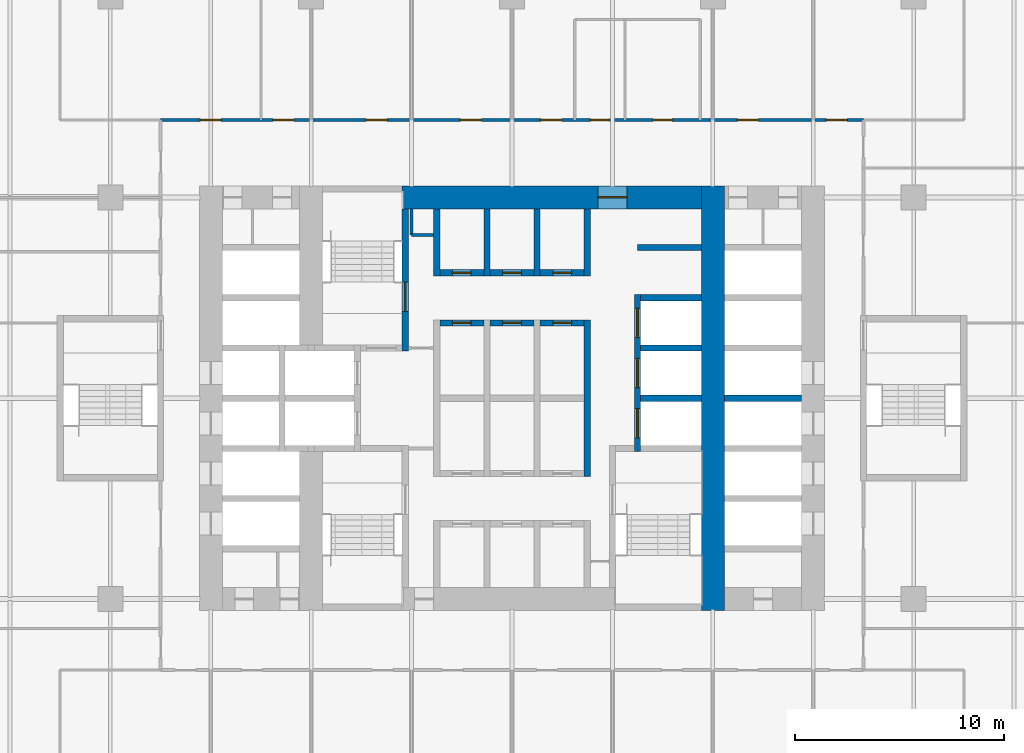
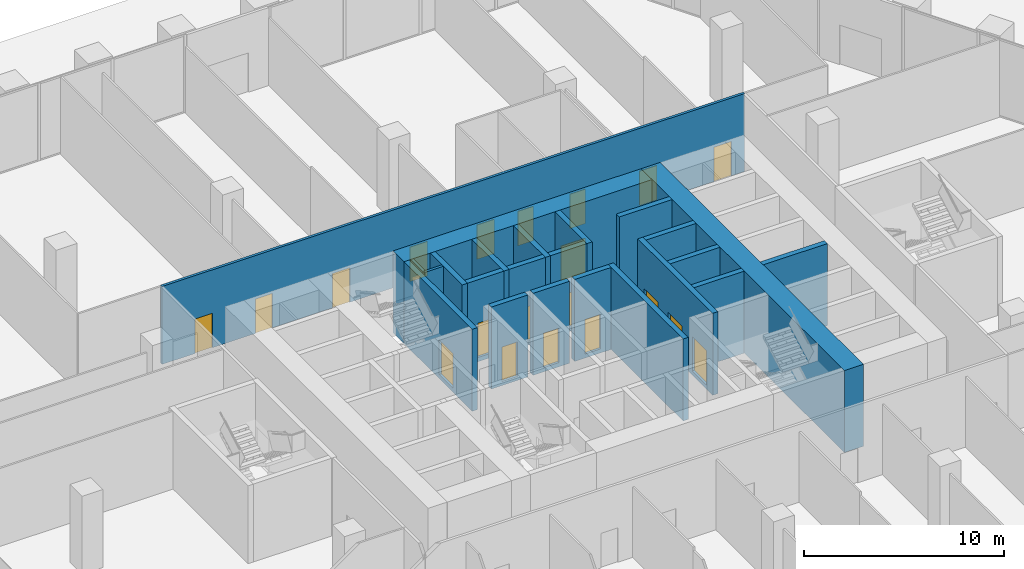
# One storey, part 22 of 29: 23 walls, 20 doors, 20 openings.
"""IFC4 building model written with IfcOpenShell, lengths in metres."""

import ifcopenshell
import ifcopenshell.guid

model = None  # the IFC model being written
_history = None  # IfcOwnerHistory: only IFC2X3 demands one
_inside = {}  # id of a spatial element -> (the spatial element, [elements in it])
_under = {}  # id of a project, library or spatial element -> (it, [spatial elements below it])
_declared = {}  # id of a project -> (the project, [libraries it declares])
_typed = {}  # id of a type object -> (the type object, [elements of that type])
_made_of = {}  # id of a material, layer set ... -> (it, [elements and type objects made of it])


def new_model(schema):
    """Start an empty IFC model of exactly this schema.

    Asked for "IFC4X3", IfcOpenShell would pick the latest addendum, in which some entities
    have other attributes; the version numbers below select the first issue.
    IFC2X3 requires an IfcOwnerHistory on every rooted entity: one is made here for all.
    """
    global model, _history
    if schema == "IFC4X3":
        model = ifcopenshell.file(schema_version=(4, 3, 0, 0))
    else:
        model = ifcopenshell.file(schema=schema)
    _inside.clear()
    _under.clear()
    _declared.clear()
    _typed.clear()
    _made_of.clear()
    _history = None
    if model.schema == "IFC2X3":
        org = make("IfcOrganization", Name="unknown")
        user = make(
            "IfcPersonAndOrganization",
            ThePerson=make("IfcPerson", FamilyName="unknown"),
            TheOrganization=org,
        )
        app = make(
            "IfcApplication",
            ApplicationDeveloper=org,
            Version="unknown",
            ApplicationFullName="unknown",
            ApplicationIdentifier="unknown",
        )
        _history = make(
            "IfcOwnerHistory",
            OwningUser=user,
            OwningApplication=app,
            ChangeAction="ADDED",
            CreationDate=0,
        )
    return model


def make(cls, **values):
    """One entity of the class cls with the attributes given. An attribute that is None is left unset."""
    return model.create_entity(
        cls, **{name: value for name, value in values.items() if value is not None}
    )


def rooted(cls, **values):
    """An entity with a GlobalId (a new one), such as an element, a storey or a relation."""
    return make(cls, GlobalId=ifcopenshell.guid.new(), OwnerHistory=_history, **values)


def si_unit(unit_type, name, prefix=None):
    """IfcSIUnit, for example si_unit("LENGTHUNIT", "METRE", prefix="MILLI")."""
    return make("IfcSIUnit", UnitType=unit_type, Prefix=prefix, Name=name)


def assignment(units):
    """IfcUnitAssignment: the units of a project."""
    return None if units is None else make("IfcUnitAssignment", Units=units)


def point(xyz):
    """IfcCartesianPoint."""
    return None if xyz is None else make("IfcCartesianPoint", Coordinates=xyz)


def direction(xyz):
    """IfcDirection."""
    return None if xyz is None else make("IfcDirection", DirectionRatios=xyz)


def frame(location, z_axis=None, x_axis=None):
    """IfcAxis2Placement3D, a coordinate frame: its origin and axes. An axis left out is left unset."""
    return make(
        "IfcAxis2Placement3D",
        Location=point(location),
        Axis=direction(z_axis),
        RefDirection=direction(x_axis),
    )


def frame_2d(location, x_axis=None):
    """IfcAxis2Placement2D, a coordinate frame in the plane: its origin and x axis."""
    return make(
        "IfcAxis2Placement2D", Location=point(location), RefDirection=direction(x_axis)
    )


def origin():
    """The frame at (0, 0, 0) with its axes left unset."""
    return frame((0.0, 0.0, 0.0))


def place(relative_to, where):
    """IfcLocalPlacement: puts the frame where relative to a parent placement (None: the world)."""
    return make(
        "IfcLocalPlacement", PlacementRelTo=relative_to, RelativePlacement=where
    )


def context(
    kind, dimensions, precision=None, world=None, true_north=None, identifier=None
):
    """IfcGeometricRepresentationContext, for example the 3D "Model" context."""
    return make(
        "IfcGeometricRepresentationContext",
        ContextIdentifier=identifier,
        ContextType=kind,
        CoordinateSpaceDimension=dimensions,
        Precision=precision,
        WorldCoordinateSystem=world,
        TrueNorth=true_north,
    )


def subcontext(parent, identifier, kind, view, scale=None):
    """IfcGeometricRepresentationSubContext, for example "Body" below "Model"."""
    return make(
        "IfcGeometricRepresentationSubContext",
        ContextIdentifier=identifier,
        ContextType=kind,
        ParentContext=parent,
        TargetScale=scale,
        TargetView=view,
    )


def project(units=None, contexts=None):
    """IfcProject with its units and contexts."""
    return rooted(
        "IfcProject",
        Name="project",
        RepresentationContexts=contexts,
        UnitsInContext=assignment(units),
    )


def spatial(cls, under=None, at=None, **own):
    """A site, building, storey or space (cls), placed at a placement, below another one or the project."""
    s = rooted(cls, ObjectPlacement=at, **own)
    if under is not None:
        _under.setdefault(under.id(), (under, []))[1].append(s)
    return s


def profile(cls, at=None, kind="AREA", **sizes):
    """A parametric profile (cls). Its sizes go by their IFC names, for example OverallWidth=200.0."""
    return make(cls, ProfileType=kind, Position=at, **sizes)


def rectangle(**sizes):
    """IfcRectangleProfileDef."""
    return profile("IfcRectangleProfileDef", **sizes)


def extrude(swept, where, along, depth):
    """IfcExtrudedAreaSolid: the profile swept, set in the frame where, extruded along a direction by depth."""
    return make(
        "IfcExtrudedAreaSolid",
        SweptArea=swept,
        Position=where,
        ExtrudedDirection=direction(along),
        Depth=depth,
    )


def shape(context_of_items, identifier, shape_type, items):
    """IfcShapeRepresentation: the items that make up one representation, for example the "Body"."""
    return make(
        "IfcShapeRepresentation",
        ContextOfItems=context_of_items,
        RepresentationIdentifier=identifier,
        RepresentationType=shape_type,
        Items=items,
    )


def material(Name=None, Category=None):
    """IfcMaterial."""
    return make("IfcMaterial", Name=Name, Category=Category)


def layer(
    of_material, thickness, ventilated=None, Name=None, Category=None, Priority=None
):
    """IfcMaterialLayer: one layer of a wall or slab, of a material (None: an air gap)."""
    return make(
        "IfcMaterialLayer",
        Material=of_material,
        LayerThickness=thickness,
        IsVentilated=ventilated,
        Name=Name,
        Category=Category,
        Priority=Priority,
    )


def layer_set(layers, Name=None):
    """IfcMaterialLayerSet."""
    return make("IfcMaterialLayerSet", MaterialLayers=layers, LayerSetName=Name)


def made_of(thing, what):
    """Note that an element or type object is made of a material, layer set ...; save() writes the relation."""
    if what is not None:
        _made_of.setdefault(what.id(), (what, []))[1].append(thing)
    return thing


def type_object(cls, material=None, **own):
    """A type object (cls), such as IfcWallType, which elements share."""
    return made_of(rooted(cls, **own), material)


def element(
    cls,
    number,
    at=None,
    inside=None,
    cuts=None,
    type_object=None,
    material=None,
    context=None,
    identifier="Body",
    shape_type=None,
    held_by="IfcProductDefinitionShape",
    body=None,
    shapes=None,
    **own,
):
    """One element of the class cls, such as IfcWall. Its Tag is "e" and its number.

    at: its placement. inside: the storey or other place that contains it. cuts: it is an
    opening in that element (IfcRelVoidsElement). A single representation is given by context,
    identifier, shape_type and body (its items); several are given by shapes. held_by: the class
    of the entity that holds the representations. save() writes the other relations.
    """
    e = rooted(cls, Tag="e%d" % number, ObjectPlacement=at, **own)
    if body is not None:
        shapes = [shape(context, identifier, shape_type, body)]
    if shapes is not None:
        e.Representation = make(held_by, Representations=shapes)
    if inside is not None:
        _inside.setdefault(inside.id(), (inside, []))[1].append(e)
    if cuts is not None:
        rooted(
            "IfcRelVoidsElement", RelatingBuildingElement=cuts, RelatedOpeningElement=e
        )
    if type_object is not None:
        _typed.setdefault(type_object.id(), (type_object, []))[1].append(e)
    return made_of(e, material)


def fill(opening, filler):
    """IfcRelFillsElement: the door or window that sits in an opening."""
    return rooted(
        "IfcRelFillsElement",
        RelatingOpeningElement=opening,
        RelatedBuildingElement=filler,
    )


def aggregate(whole, parts):
    """IfcRelAggregates: a whole, such as a stair, and the parts it consists of."""
    return rooted("IfcRelAggregates", RelatingObject=whole, RelatedObjects=parts)


def save(model, path):
    """Write the relations noted so far, then the file.

    IfcRelAggregates (storeys below a building ...), IfcRelContainedInSpatialStructure (elements
    in a storey), IfcRelDefinesByType, IfcRelAssociatesMaterial and IfcRelDeclares: one each for
    every whole, place, type object, material and project.
    """
    for whole, parts in _under.values():
        aggregate(whole, parts)
    for where, things in _inside.values():
        rooted(
            "IfcRelContainedInSpatialStructure",
            RelatedElements=things,
            RelatingStructure=where,
        )
    for kind, things in _typed.values():
        rooted("IfcRelDefinesByType", RelatedObjects=things, RelatingType=kind)
    for what, things in _made_of.values():
        rooted("IfcRelAssociatesMaterial", RelatedObjects=things, RelatingMaterial=what)
    for by, libraries in _declared.values():
        rooted("IfcRelDeclares", RelatingContext=by, RelatedDefinitions=libraries)
    model.write(path)


model = new_model("IFC4")

# Units and contexts
model_context = context("Model", 3, precision=1e-05, world=origin(), true_north=direction((0.0, 1.0)))
body_context = subcontext(model_context, "Body", "Model", "MODEL_VIEW")
ifc_project = project(units=[si_unit("LENGTHUNIT", "METRE"), si_unit("AREAUNIT", "SQUARE_METRE"), si_unit("VOLUMEUNIT", "CUBIC_METRE"), si_unit("PLANEANGLEUNIT", "RADIAN"), si_unit("MASSUNIT", "GRAM", prefix="KILO")], contexts=[model_context])

# Site, building, storey
site_placement = place(None, origin())
site = spatial("IfcSite", under=ifc_project, at=site_placement, CompositionType="ELEMENT")
building_placement = place(site_placement, origin())
building = spatial("IfcBuilding", under=site, at=building_placement, Name="Kolab Exchange Tower", CompositionType="ELEMENT")
storey_placement = place(building_placement, frame((0.0, 0.0, 17.39990234375)))
storey = spatial("IfcBuildingStorey", under=building, at=storey_placement, Name="L03", CompositionType="ELEMENT", Elevation=17.39990234375)

# Wall, opening, door
ifc_material_1 = material(Name="Concrete C80/95", Category="concrete")
ifc_layer_1 = layer(ifc_material_1, 1.10009765625)
ifc_layer_set_1 = layer_set([ifc_layer_1], Name="Concrete C80/95")
wall_type_1 = type_object("IfcWallType", Name="CORE WALL 1100 C80/95", PredefinedType="SHEAR", material=ifc_layer_set_1)
wall_1_placement = place(storey_placement, frame((-5.25, 9.60009765625, -0.25), z_axis=(0.0, 0.0, 1.0), x_axis=(1.0, 0.0, 0.0)))
wall_1 = element("IfcWall", 1, at=wall_1_placement, inside=storey, type_object=wall_type_1, Name="wall/L03/core/052", PredefinedType="SHEAR", context=body_context, shape_type="SweptSolid", body=[
    extrude(rectangle(XDim=14.300048828125, YDim=1.10009765625, at=frame_2d((7.14990234375, 0.0))), origin(), (0.0, 0.0, 1.0), 5.0),
])
opening_1_placement = place(wall_1_placement, frame((9.35009765625, 0.0, 0.25)))
opening_1 = element("IfcOpeningElement", 2, at=opening_1_placement, cuts=wall_1, Name="Opening D5-004", PredefinedType="OPENING", context=body_context, shape_type="SweptSolid", body=[
    extrude(rectangle(XDim=1.39990234375, YDim=2.10009765625, at=frame_2d((0.699951171875, 1.050048828125))), frame((0.0, 0.56005859375, 0.0), z_axis=(0.0, -1.0, 0.0), x_axis=(1.0, 0.0, 0.0)), (0.0, 0.0, 1.0), 1.1201171875),
])
ifc_material_2 = material(Name="Steel S235", Category="steel")
door_type_1 = type_object("IfcDoorType", Name="CORE DOOR 1400 EI 120", OperationType="DOUBLE_DOOR_SINGLE_SWING", PredefinedType="DOOR", material=ifc_material_2)
door_1_placement = place(opening_1_placement, frame((1.39990234375, 0.0, 0.0), z_axis=(0.0, 0.0, 1.0), x_axis=(-1.0, 0.0, 0.0)))
door_1 = element("IfcDoor", 3, at=door_1_placement, inside=storey, type_object=door_type_1, Name="Core lobby door", OperationType="SINGLE_SWING_LEFT", OverallHeight=2.10009765625, OverallWidth=1.39990234375, PredefinedType="DOOR", context=body_context, shape_type="SweptSolid", body=[
    extrude(rectangle(XDim=1.39990234375, YDim=2.10009765625, at=frame_2d((0.699951171875, 1.050048828125))), frame((0.0, 0.02490234375, 0.0), z_axis=(0.0, -1.0, 0.0), x_axis=(1.0, 0.0, 0.0)), (0.0, 0.0, 1.0), 0.050048828125),
])
fill(opening_1, door_1)

# Walls
wall_2_placement = place(storey_placement, frame((9.60009765625, -10.14990234375, -0.25), z_axis=(0.0, 0.0, 1.0), x_axis=(0.0, 1.0, 0.0)))
element("IfcWall", 4, at=wall_2_placement, inside=storey, type_object=wall_type_1, Name="wall/L03/core/080", PredefinedType="SHEAR", context=body_context, shape_type="SweptSolid", body=[
    extrude(rectangle(XDim=20.2998046875, YDim=1.10009765625, at=frame_2d((10.14990234375, 0.0))), origin(), (0.0, 0.0, 1.0), 5.0),
])
ifc_material_3 = material(Name="Concrete C50/60", Category="concrete")
ifc_layer_2 = layer(ifc_material_3, 0.300048828125)
ifc_layer_set_2 = layer_set([ifc_layer_2], Name="Concrete C50/60")
wall_type_2 = type_object("IfcWallType", Name="LIFT SHAFT WALL 300 C50/60", PredefinedType="STANDARD", material=ifc_layer_set_2)
wall_3_placement = place(storey_placement, frame((6.14990234375, 0.0, -0.25), z_axis=(0.0, 0.0, 1.0), x_axis=(1.0, 0.0, 0.0)))
element("IfcWall", 5, at=wall_3_placement, inside=storey, type_object=wall_type_2, Name="wall/L03/core/029", PredefinedType="STANDARD", context=body_context, shape_type="SweptSolid", body=[
    extrude(rectangle(XDim=2.900146484375, YDim=0.300048828125, at=frame_2d((1.4501953125, 0.0))), origin(), (0.0, 0.0, 1.0), 5.0),
])
wall_4_placement = place(storey_placement, frame((10.14990234375, 0.0, -0.25), z_axis=(0.0, 0.0, 1.0), x_axis=(1.0, 0.0, 0.0)))
element("IfcWall", 6, at=wall_4_placement, inside=storey, type_object=wall_type_2, Name="wall/L03/core/030", PredefinedType="STANDARD", context=body_context, shape_type="SweptSolid", body=[
    extrude(rectangle(XDim=3.7001953125, YDim=0.300048828125, at=frame_2d((1.85009765625, 0.0))), origin(), (0.0, 0.0, 1.0), 5.0),
])
wall_5_placement = place(storey_placement, frame((6.14990234375, 2.39990234375, -0.25), z_axis=(0.0, 0.0, 1.0), x_axis=(1.0, 0.0, 0.0)))
element("IfcWall", 7, at=wall_5_placement, inside=storey, type_object=wall_type_2, Name="wall/L03/core/035", PredefinedType="STANDARD", context=body_context, shape_type="SweptSolid", body=[
    extrude(rectangle(XDim=2.900146484375, YDim=0.300048828125, at=frame_2d((1.4501953125, 0.0))), origin(), (0.0, 0.0, 1.0), 5.0),
])

# Wall, opening, door
wall_6_placement = place(storey_placement, frame((-3.449951171875, 3.60009765625, -0.25), z_axis=(0.0, 0.0, 1.0), x_axis=(1.0, 0.0, 0.0)))
wall_6 = element("IfcWall", 8, at=wall_6_placement, inside=storey, type_object=wall_type_2, Name="wall/L03/core/037", PredefinedType="STANDARD", context=body_context, shape_type="SweptSolid", body=[
    extrude(rectangle(XDim=2.099853515625, YDim=0.300048828125, at=frame_2d((1.0498046875, 0.0))), origin(), (0.0, 0.0, 1.0), 5.0),
])
opening_2_placement = place(wall_6_placement, frame((0.60009765625, 0.0, 0.25)))
opening_2 = element("IfcOpeningElement", 9, at=opening_2_placement, cuts=wall_6, Name="Opening D6-069", PredefinedType="OPENING", context=body_context, shape_type="SweptSolid", body=[
    extrude(rectangle(XDim=0.89990234375, YDim=2.10009765625, at=frame_2d((0.449951171875, 1.050048828125))), frame((0.0, 0.16015625, 0.0), z_axis=(0.0, -1.0, 0.0), x_axis=(1.0, 0.0, 0.0)), (0.0, 0.0, 1.0), 0.320068359375),
])
door_type_2 = type_object("IfcDoorType", Name="CORE DOOR 900 EI 120", OperationType="SINGLE_SWING_LEFT", PredefinedType="DOOR", material=ifc_material_2)
door_2_placement = place(opening_2_placement, frame((0.89990234375, 0.0, 0.0), z_axis=(0.0, 0.0, 1.0), x_axis=(-1.0, 0.0, 0.0)))
door_2 = element("IfcDoor", 10, at=door_2_placement, inside=storey, type_object=door_type_2, Name="Service room door", OperationType="SINGLE_SWING_LEFT", OverallHeight=2.10009765625, OverallWidth=0.89990234375, PredefinedType="DOOR", context=body_context, shape_type="SweptSolid", body=[
    extrude(rectangle(XDim=0.89990234375, YDim=2.10009765625, at=frame_2d((0.449951171875, 1.050048828125))), frame((0.0, 0.02490234375, 0.0), z_axis=(0.0, -1.0, 0.0), x_axis=(1.0, 0.0, 0.0)), (0.0, 0.0, 1.0), 0.050048828125),
])
fill(opening_2, door_2)

wall_7_placement = place(storey_placement, frame((-1.050048828125, 3.60009765625, -0.25), z_axis=(0.0, 0.0, 1.0), x_axis=(1.0, 0.0, 0.0)))
wall_7 = element("IfcWall", 11, at=wall_7_placement, inside=storey, type_object=wall_type_2, Name="wall/L03/core/038", PredefinedType="STANDARD", context=body_context, shape_type="SweptSolid", body=[
    extrude(rectangle(XDim=2.10009765625, YDim=0.300048828125, at=frame_2d((1.050048828125, 0.0))), origin(), (0.0, 0.0, 1.0), 5.0),
])
opening_3_placement = place(wall_7_placement, frame((0.60009765625, 0.0, 0.25)))
opening_3 = element("IfcOpeningElement", 12, at=opening_3_placement, cuts=wall_7, Name="Opening D6-068", PredefinedType="OPENING", context=body_context, shape_type="SweptSolid", body=[
    extrude(rectangle(XDim=0.89990234375, YDim=2.10009765625, at=frame_2d((0.449951171875, 1.050048828125))), frame((0.0, 0.16015625, 0.0), z_axis=(0.0, -1.0, 0.0), x_axis=(1.0, 0.0, 0.0)), (0.0, 0.0, 1.0), 0.320068359375),
])
door_3_placement = place(opening_3_placement, frame((0.89990234375, 0.0, 0.0), z_axis=(0.0, 0.0, 1.0), x_axis=(-1.0, 0.0, 0.0)))
door_3 = element("IfcDoor", 13, at=door_3_placement, inside=storey, type_object=door_type_2, Name="Service room door", OperationType="SINGLE_SWING_LEFT", OverallHeight=2.10009765625, OverallWidth=0.89990234375, PredefinedType="DOOR", context=body_context, shape_type="SweptSolid", body=[
    extrude(rectangle(XDim=0.89990234375, YDim=2.10009765625, at=frame_2d((0.449951171875, 1.050048828125))), frame((0.0, 0.02490234375, 0.0), z_axis=(0.0, -1.0, 0.0), x_axis=(1.0, 0.0, 0.0)), (0.0, 0.0, 1.0), 0.050048828125),
])
fill(opening_3, door_3)

wall_8_placement = place(storey_placement, frame((1.35009765625, 3.60009765625, -0.25), z_axis=(0.0, 0.0, 1.0), x_axis=(1.0, 0.0, 0.0)))
wall_8 = element("IfcWall", 14, at=wall_8_placement, inside=storey, type_object=wall_type_2, Name="wall/L03/core/039", PredefinedType="STANDARD", context=body_context, shape_type="SweptSolid", body=[
    extrude(rectangle(XDim=2.099853515625, YDim=0.300048828125, at=frame_2d((1.0498046875, 0.0))), origin(), (0.0, 0.0, 1.0), 5.0),
])
opening_4_placement = place(wall_8_placement, frame((0.60009765625, 0.0, 0.25)))
opening_4 = element("IfcOpeningElement", 15, at=opening_4_placement, cuts=wall_8, Name="Opening D6-067", PredefinedType="OPENING", context=body_context, shape_type="SweptSolid", body=[
    extrude(rectangle(XDim=0.89990234375, YDim=2.10009765625, at=frame_2d((0.449951171875, 1.050048828125))), frame((0.0, 0.16015625, 0.0), z_axis=(0.0, -1.0, 0.0), x_axis=(1.0, 0.0, 0.0)), (0.0, 0.0, 1.0), 0.320068359375),
])
door_4_placement = place(opening_4_placement, frame((0.89990234375, 0.0, 0.0), z_axis=(0.0, 0.0, 1.0), x_axis=(-1.0, 0.0, 0.0)))
door_4 = element("IfcDoor", 16, at=door_4_placement, inside=storey, type_object=door_type_2, Name="Service room door", OperationType="SINGLE_SWING_RIGHT", OverallHeight=2.10009765625, OverallWidth=0.89990234375, PredefinedType="DOOR", context=body_context, shape_type="SweptSolid", body=[
    extrude(rectangle(XDim=0.89990234375, YDim=2.10009765625, at=frame_2d((0.449951171875, 1.050048828125))), frame((0.0, 0.02490234375, 0.0), z_axis=(0.0, -1.0, 0.0), x_axis=(1.0, 0.0, 0.0)), (0.0, 0.0, 1.0), 0.050048828125),
])
fill(opening_4, door_4)

# Wall
wall_9_placement = place(storey_placement, frame((6.14990234375, 4.800048828125, -0.25), z_axis=(0.0, 0.0, 1.0), x_axis=(1.0, 0.0, 0.0)))
element("IfcWall", 17, at=wall_9_placement, inside=storey, type_object=wall_type_2, Name="wall/L03/core/043", PredefinedType="STANDARD", context=body_context, shape_type="SweptSolid", body=[
    extrude(rectangle(XDim=2.900146484375, YDim=0.300048828125, at=frame_2d((1.4501953125, 0.0))), origin(), (0.0, 0.0, 1.0), 5.0),
])

# Wall, opening, door
wall_10_placement = place(storey_placement, frame((-3.449951171875, 6.0, -0.25), z_axis=(0.0, 0.0, 1.0), x_axis=(1.0, 0.0, 0.0)))
wall_10 = element("IfcWall", 18, at=wall_10_placement, inside=storey, type_object=wall_type_2, Name="wall/L03/core/045", PredefinedType="STANDARD", context=body_context, shape_type="SweptSolid", body=[
    extrude(rectangle(XDim=2.099853515625, YDim=0.300048828125, at=frame_2d((1.0498046875, 0.0))), origin(), (0.0, 0.0, 1.0), 5.0),
])
opening_5_placement = place(wall_10_placement, frame((0.60009765625, 0.0, 0.25)))
opening_5 = element("IfcOpeningElement", 19, at=opening_5_placement, cuts=wall_10, Name="Opening D6-066", PredefinedType="OPENING", context=body_context, shape_type="SweptSolid", body=[
    extrude(rectangle(XDim=0.89990234375, YDim=2.10009765625, at=frame_2d((0.449951171875, 1.050048828125))), frame((0.0, 0.16015625, 0.0), z_axis=(0.0, -1.0, 0.0), x_axis=(1.0, 0.0, 0.0)), (0.0, 0.0, 1.0), 0.320068359375),
])
door_5_placement = place(opening_5_placement, origin())
door_5 = element("IfcDoor", 20, at=door_5_placement, inside=storey, type_object=door_type_2, Name="Service room door", OperationType="SINGLE_SWING_LEFT", OverallHeight=2.10009765625, OverallWidth=0.89990234375, PredefinedType="DOOR", context=body_context, shape_type="SweptSolid", body=[
    extrude(rectangle(XDim=0.89990234375, YDim=2.10009765625, at=frame_2d((0.449951171875, 1.050048828125))), frame((0.0, 0.02490234375, 0.0), z_axis=(0.0, -1.0, 0.0), x_axis=(1.0, 0.0, 0.0)), (0.0, 0.0, 1.0), 0.050048828125),
])
fill(opening_5, door_5)

wall_11_placement = place(storey_placement, frame((-1.050048828125, 6.0, -0.25), z_axis=(0.0, 0.0, 1.0), x_axis=(1.0, 0.0, 0.0)))
wall_11 = element("IfcWall", 21, at=wall_11_placement, inside=storey, type_object=wall_type_2, Name="wall/L03/core/046", PredefinedType="STANDARD", context=body_context, shape_type="SweptSolid", body=[
    extrude(rectangle(XDim=2.10009765625, YDim=0.300048828125, at=frame_2d((1.050048828125, 0.0))), origin(), (0.0, 0.0, 1.0), 5.0),
])
opening_6_placement = place(wall_11_placement, frame((0.60009765625, 0.0, 0.25)))
opening_6 = element("IfcOpeningElement", 22, at=opening_6_placement, cuts=wall_11, Name="Opening D6-065", PredefinedType="OPENING", context=body_context, shape_type="SweptSolid", body=[
    extrude(rectangle(XDim=0.89990234375, YDim=2.10009765625, at=frame_2d((0.449951171875, 1.050048828125))), frame((0.0, 0.16015625, 0.0), z_axis=(0.0, -1.0, 0.0), x_axis=(1.0, 0.0, 0.0)), (0.0, 0.0, 1.0), 0.320068359375),
])
door_6_placement = place(opening_6_placement, origin())
door_6 = element("IfcDoor", 23, at=door_6_placement, inside=storey, type_object=door_type_2, Name="Service room door", OperationType="SINGLE_SWING_RIGHT", OverallHeight=2.10009765625, OverallWidth=0.89990234375, PredefinedType="DOOR", context=body_context, shape_type="SweptSolid", body=[
    extrude(rectangle(XDim=0.89990234375, YDim=2.10009765625, at=frame_2d((0.449951171875, 1.050048828125))), frame((0.0, 0.02490234375, 0.0), z_axis=(0.0, -1.0, 0.0), x_axis=(1.0, 0.0, 0.0)), (0.0, 0.0, 1.0), 0.050048828125),
])
fill(opening_6, door_6)

wall_12_placement = place(storey_placement, frame((1.35009765625, 6.0, -0.25), z_axis=(0.0, 0.0, 1.0), x_axis=(1.0, 0.0, 0.0)))
wall_12 = element("IfcWall", 24, at=wall_12_placement, inside=storey, type_object=wall_type_2, Name="wall/L03/core/047", PredefinedType="STANDARD", context=body_context, shape_type="SweptSolid", body=[
    extrude(rectangle(XDim=2.099853515625, YDim=0.300048828125, at=frame_2d((1.0498046875, 0.0))), origin(), (0.0, 0.0, 1.0), 5.0),
])
opening_7_placement = place(wall_12_placement, frame((0.60009765625, 0.0, 0.25)))
opening_7 = element("IfcOpeningElement", 25, at=opening_7_placement, cuts=wall_12, Name="Opening D6-064", PredefinedType="OPENING", context=body_context, shape_type="SweptSolid", body=[
    extrude(rectangle(XDim=0.89990234375, YDim=2.10009765625, at=frame_2d((0.449951171875, 1.050048828125))), frame((0.0, 0.16015625, 0.0), z_axis=(0.0, -1.0, 0.0), x_axis=(1.0, 0.0, 0.0)), (0.0, 0.0, 1.0), 0.320068359375),
])
door_7_placement = place(opening_7_placement, origin())
door_7 = element("IfcDoor", 26, at=door_7_placement, inside=storey, type_object=door_type_2, Name="Service room door", OperationType="SINGLE_SWING_RIGHT", OverallHeight=2.10009765625, OverallWidth=0.89990234375, PredefinedType="DOOR", context=body_context, shape_type="SweptSolid", body=[
    extrude(rectangle(XDim=0.89990234375, YDim=2.10009765625, at=frame_2d((0.449951171875, 1.050048828125))), frame((0.0, 0.02490234375, 0.0), z_axis=(0.0, -1.0, 0.0), x_axis=(1.0, 0.0, 0.0)), (0.0, 0.0, 1.0), 0.050048828125),
])
fill(opening_7, door_7)

# Walls
wall_13_placement = place(storey_placement, frame((6.0, 7.199951171875, -0.25), z_axis=(0.0, 0.0, 1.0), x_axis=(1.0, 0.0, 0.0)))
element("IfcWall", 27, at=wall_13_placement, inside=storey, type_object=wall_type_2, Name="wall/L03/core/049", PredefinedType="STANDARD", context=body_context, shape_type="SweptSolid", body=[
    extrude(rectangle(XDim=3.050048828125, YDim=0.300048828125, at=frame_2d((1.52490234375, 0.0))), origin(), (0.0, 0.0, 1.0), 5.0),
])
for number, where, z_axis, x_axis, name in (
    (28, (-3.60009765625, 5.85009765625, -0.25), (0.0, 0.0, 1.0), (0.0, 1.0, 0.0), "wall/L03/core/068"),
    (29, (-1.199951171875, 5.85009765625, -0.25), (0.0, 0.0, 1.0), (0.0, 1.0, 0.0), "wall/L03/core/071"),
    (30, (1.199951171875, 5.85009765625, -0.25), (0.0, 0.0, 1.0), (0.0, 1.0, 0.0), "wall/L03/core/074"),
):
    element("IfcWall", number, at=place(storey_placement, frame(where, z_axis=z_axis, x_axis=x_axis)), inside=storey, type_object=wall_type_2, Name=name, PredefinedType="STANDARD", context=body_context, shape_type="SweptSolid", body=[
        extrude(rectangle(XDim=3.199951171875, YDim=0.300048828125, at=frame_2d((1.60009765625, 0.0))), origin(), (0.0, 0.0, 1.0), 5.0),
    ])
wall_14_placement = place(storey_placement, frame((3.60009765625, -3.75, -0.25), z_axis=(0.0, 0.0, 1.0), x_axis=(0.0, 1.0, 0.0)))
element("IfcWall", 31, at=wall_14_placement, inside=storey, type_object=wall_type_2, Name="wall/L03/core/076", PredefinedType="STANDARD", context=body_context, shape_type="SweptSolid", body=[
    extrude(rectangle(XDim=7.5, YDim=0.300048828125, at=frame_2d((3.75, 0.0))), origin(), (0.0, 0.0, 1.0), 5.0),
])
wall_15_placement = place(storey_placement, frame((3.60009765625, 5.85009765625, -0.25), z_axis=(0.0, 0.0, 1.0), x_axis=(0.0, 1.0, 0.0)))
element("IfcWall", 32, at=wall_15_placement, inside=storey, type_object=wall_type_2, Name="wall/L03/core/077", PredefinedType="STANDARD", context=body_context, shape_type="SweptSolid", body=[
    extrude(rectangle(XDim=3.199951171875, YDim=0.300048828125, at=frame_2d((1.60009765625, 0.0))), origin(), (0.0, 0.0, 1.0), 5.0),
])

# Wall, openings, doors
wall_16_placement = place(storey_placement, frame((6.0, -2.550048828125, -0.25), z_axis=(0.0, 0.0, 1.0), x_axis=(0.0, 1.0, 0.0)))
wall_16 = element("IfcWall", 33, at=wall_16_placement, inside=storey, type_object=wall_type_2, Name="wall/L03/core/079", PredefinedType="STANDARD", context=body_context, shape_type="SweptSolid", body=[
    extrude(rectangle(XDim=7.5, YDim=0.300048828125, at=frame_2d((3.75, 0.0))), origin(), (0.0, 0.0, 1.0), 5.0),
])
opening_8_placement = place(wall_16_placement, frame((0.64990234375, 0.0, 0.25)))
opening_8 = element("IfcOpeningElement", 34, at=opening_8_placement, cuts=wall_16, Name="Opening LD3-010", PredefinedType="OPENING", context=body_context, shape_type="SweptSolid", body=[
    extrude(rectangle(XDim=1.39990234375, YDim=2.10009765625, at=frame_2d((0.699951171875, 1.050048828125))), frame((0.0, 0.16015625, 0.0), z_axis=(0.0, -1.0, 0.0), x_axis=(1.0, 0.0, 0.0)), (0.0, 0.0, 1.0), 0.320068359375),
])
opening_9_placement = place(wall_16_placement, frame((3.050048828125, 0.0, 0.25)))
opening_9 = element("IfcOpeningElement", 35, at=opening_9_placement, cuts=wall_16, Name="Opening LD3-011", PredefinedType="OPENING", context=body_context, shape_type="SweptSolid", body=[
    extrude(rectangle(XDim=1.39990234375, YDim=2.10009765625, at=frame_2d((0.699951171875, 1.050048828125))), frame((0.0, 0.16015625, 0.0), z_axis=(0.0, -1.0, 0.0), x_axis=(1.0, 0.0, 0.0)), (0.0, 0.0, 1.0), 0.320068359375),
])
opening_10_placement = place(wall_16_placement, frame((5.449951171875, 0.0, 0.25)))
opening_10 = element("IfcOpeningElement", 36, at=opening_10_placement, cuts=wall_16, Name="Opening LD3-012", PredefinedType="OPENING", context=body_context, shape_type="SweptSolid", body=[
    extrude(rectangle(XDim=1.39990234375, YDim=2.10009765625, at=frame_2d((0.699951171875, 1.050048828125))), frame((0.0, 0.16015625, 0.0), z_axis=(0.0, -1.0, 0.0), x_axis=(1.0, 0.0, 0.0)), (0.0, 0.0, 1.0), 0.320068359375),
])
ifc_material_4 = material(Name="Stainless steel 316", Category="steel")
door_type_3 = type_object("IfcDoorType", Name="LANDING DOOR 1400 SERVICE", OperationType="DOUBLE_DOOR_SLIDING", PredefinedType="DOOR", material=ifc_material_4)
door_8_placement = place(opening_8_placement, origin())
door_8 = element("IfcDoor", 37, at=door_8_placement, inside=storey, type_object=door_type_3, Name="Landing door SV1", OperationType="DOUBLE_DOOR_SLIDING", OverallHeight=2.10009765625, OverallWidth=1.39990234375, PredefinedType="DOOR", context=body_context, shape_type="SweptSolid", body=[
    extrude(rectangle(XDim=1.39990234375, YDim=2.10009765625, at=frame_2d((0.699951171875, 1.050048828125))), frame((0.0, 0.02490234375, 0.0), z_axis=(0.0, -1.0, 0.0), x_axis=(1.0, 0.0, 0.0)), (0.0, 0.0, 1.0), 0.050048828125),
])
fill(opening_8, door_8)
door_9_placement = place(opening_9_placement, origin())
door_9 = element("IfcDoor", 38, at=door_9_placement, inside=storey, type_object=door_type_3, Name="Landing door SV2", OperationType="DOUBLE_DOOR_SLIDING", OverallHeight=2.10009765625, OverallWidth=1.39990234375, PredefinedType="DOOR", context=body_context, shape_type="SweptSolid", body=[
    extrude(rectangle(XDim=1.39990234375, YDim=2.10009765625, at=frame_2d((0.699951171875, 1.050048828125))), frame((0.0, 0.02490234375, 0.0), z_axis=(0.0, -1.0, 0.0), x_axis=(1.0, 0.0, 0.0)), (0.0, 0.0, 1.0), 0.050048828125),
])
fill(opening_9, door_9)
door_10_placement = place(opening_10_placement, origin())
door_10 = element("IfcDoor", 39, at=door_10_placement, inside=storey, type_object=door_type_3, Name="Landing door SV3", OperationType="DOUBLE_DOOR_SLIDING", OverallHeight=2.10009765625, OverallWidth=1.39990234375, PredefinedType="DOOR", context=body_context, shape_type="SweptSolid", body=[
    extrude(rectangle(XDim=1.39990234375, YDim=2.10009765625, at=frame_2d((0.699951171875, 1.050048828125))), frame((0.0, 0.02490234375, 0.0), z_axis=(0.0, -1.0, 0.0), x_axis=(1.0, 0.0, 0.0)), (0.0, 0.0, 1.0), 0.050048828125),
])
fill(opening_10, door_10)

# Walls
ifc_material_5 = material(Name="Gypsum board", Category="gypsum")
ifc_layer_3 = layer(ifc_material_5, 0.14990234375)
ifc_layer_set_3 = layer_set([ifc_layer_3], Name="Gypsum board")
wall_type_3 = type_object("IfcWallType", Name="PARTITION 150 FIRE-RATED", PredefinedType="PARTITIONING", material=ifc_layer_set_3)
wall_17_placement = place(storey_placement, frame((-4.800048828125, 7.800048828125, 0.0), z_axis=(0.0, 0.0, 1.0), x_axis=(0.0, 1.0, 0.0)))
element("IfcWall", 40, at=wall_17_placement, inside=storey, type_object=wall_type_3, Name="Partition 021", PredefinedType="PARTITIONING", context=body_context, shape_type="SweptSolid", body=[
    extrude(rectangle(XDim=1.25, YDim=0.14990234375, at=frame_2d((0.625, 0.0))), origin(), (0.0, 0.0, 1.0), 4.75),
])
wall_18_placement = place(storey_placement, frame((-4.800048828125, 7.800048828125, 0.0), z_axis=(0.0, 0.0, 1.0), x_axis=(1.0, 0.0, 0.0)))
element("IfcWall", 41, at=wall_18_placement, inside=storey, type_object=wall_type_3, Name="Partition 043", PredefinedType="PARTITIONING", context=body_context, shape_type="SweptSolid", body=[
    extrude(rectangle(XDim=1.050048828125, YDim=0.14990234375, at=frame_2d((0.52490234375, 0.0))), origin(), (0.0, 0.0, 1.0), 4.75),
])

# Wall, openings, doors
wall_19_placement = place(storey_placement, frame((-16.800048828125, 13.300048828125, 0.0), z_axis=(0.0, 0.0, 1.0), x_axis=(1.0, 0.0, 0.0)))
wall_19 = element("IfcWall", 42, at=wall_19_placement, inside=storey, type_object=wall_type_3, Name="Partition 049", PredefinedType="PARTITIONING", context=body_context, shape_type="SweptSolid", body=[
    extrude(rectangle(XDim=33.60009765625, YDim=0.14990234375, at=frame_2d((16.800048828125, 0.0))), origin(), (0.0, 0.0, 1.0), 4.75),
])
opening_11_placement = place(wall_19_placement, frame((1.89990234375, 0.0, 0.0)))
opening_11 = element("IfcOpeningElement", 43, at=opening_11_placement, cuts=wall_19, Name="Opening D1-043", PredefinedType="OPENING", context=body_context, shape_type="SweptSolid", body=[
    extrude(rectangle(XDim=1.0, YDim=2.10009765625, at=frame_2d((0.5, 1.050048828125))), frame((0.0, 0.0849609375, 0.0), z_axis=(0.0, -1.0, 0.0), x_axis=(1.0, 0.0, 0.0)), (0.0, 0.0, 1.0), 0.169921875),
])
opening_12_placement = place(wall_19_placement, frame((5.375, 0.0, 0.0)))
opening_12 = element("IfcOpeningElement", 44, at=opening_12_placement, cuts=wall_19, Name="Opening D1-044", PredefinedType="OPENING", context=body_context, shape_type="SweptSolid", body=[
    extrude(rectangle(XDim=1.0, YDim=2.10009765625, at=frame_2d((0.5, 1.050048828125))), frame((0.0, 0.0849609375, 0.0), z_axis=(0.0, -1.0, 0.0), x_axis=(1.0, 0.0, 0.0)), (0.0, 0.0, 1.0), 0.169921875),
])
opening_13_placement = place(wall_19_placement, frame((9.824951171875, 0.0, 0.0)))
opening_13 = element("IfcOpeningElement", 45, at=opening_13_placement, cuts=wall_19, Name="Opening D1-045", PredefinedType="OPENING", context=body_context, shape_type="SweptSolid", body=[
    extrude(rectangle(XDim=1.0, YDim=2.10009765625, at=frame_2d((0.5, 1.050048828125))), frame((0.0, 0.0849609375, 0.0), z_axis=(0.0, -1.0, 0.0), x_axis=(1.0, 0.0, 0.0)), (0.0, 0.0, 1.0), 0.169921875),
])
opening_14_placement = place(wall_19_placement, frame((14.3349609375, 0.0, 0.0)))
opening_14 = element("IfcOpeningElement", 46, at=opening_14_placement, cuts=wall_19, Name="Opening D1-046", PredefinedType="OPENING", context=body_context, shape_type="SweptSolid", body=[
    extrude(rectangle(XDim=1.0, YDim=2.10009765625, at=frame_2d((0.5, 1.050048828125))), frame((0.0, 0.0849609375, 0.0), z_axis=(0.0, -1.0, 0.0), x_axis=(1.0, 0.0, 0.0)), (0.0, 0.0, 1.0), 0.169921875),
])
opening_15_placement = place(wall_19_placement, frame((18.18505859375, 0.0, 0.0)))
opening_15 = element("IfcOpeningElement", 47, at=opening_15_placement, cuts=wall_19, Name="Opening D1-047", PredefinedType="OPENING", context=body_context, shape_type="SweptSolid", body=[
    extrude(rectangle(XDim=1.0, YDim=2.10009765625, at=frame_2d((0.5, 1.050048828125))), frame((0.0, 0.0849609375, 0.0), z_axis=(0.0, -1.0, 0.0), x_axis=(1.0, 0.0, 0.0)), (0.0, 0.0, 1.0), 0.169921875),
])
opening_16_placement = place(wall_19_placement, frame((27.574951171875, 0.0, 0.0)))
opening_16 = element("IfcOpeningElement", 48, at=opening_16_placement, cuts=wall_19, Name="Opening D1-048", PredefinedType="OPENING", context=body_context, shape_type="SweptSolid", body=[
    extrude(rectangle(XDim=1.0, YDim=2.10009765625, at=frame_2d((0.5, 1.050048828125))), frame((0.0, 0.0849609375, 0.0), z_axis=(0.0, -1.0, 0.0), x_axis=(1.0, 0.0, 0.0)), (0.0, 0.0, 1.0), 0.169921875),
])
opening_17_placement = place(wall_19_placement, frame((31.824951171875, 0.0, 0.0)))
opening_17 = element("IfcOpeningElement", 49, at=opening_17_placement, cuts=wall_19, Name="Opening D1-049", PredefinedType="OPENING", context=body_context, shape_type="SweptSolid", body=[
    extrude(rectangle(XDim=1.0, YDim=2.10009765625, at=frame_2d((0.5, 1.050048828125))), frame((0.0, 0.0849609375, 0.0), z_axis=(0.0, -1.0, 0.0), x_axis=(1.0, 0.0, 0.0)), (0.0, 0.0, 1.0), 0.169921875),
])
opening_18_placement = place(wall_19_placement, frame((23.550048828125, 0.0, 0.0)))
opening_18 = element("IfcOpeningElement", 50, at=opening_18_placement, cuts=wall_19, Name="Opening D3-007", PredefinedType="OPENING", context=body_context, shape_type="SweptSolid", body=[
    extrude(rectangle(XDim=0.89990234375, YDim=2.10009765625, at=frame_2d((0.449951171875, 1.050048828125))), frame((0.0, 0.0849609375, 0.0), z_axis=(0.0, -1.0, 0.0), x_axis=(1.0, 0.0, 0.0)), (0.0, 0.0, 1.0), 0.169921875),
])
opening_19_placement = place(wall_19_placement, frame((20.550048828125, 0.0, 0.0)))
opening_19 = element("IfcOpeningElement", 51, at=opening_19_placement, cuts=wall_19, Name="Opening D3-008", PredefinedType="OPENING", context=body_context, shape_type="SweptSolid", body=[
    extrude(rectangle(XDim=0.89990234375, YDim=2.10009765625, at=frame_2d((0.449951171875, 1.050048828125))), frame((0.0, 0.0849609375, 0.0), z_axis=(0.0, -1.0, 0.0), x_axis=(1.0, 0.0, 0.0)), (0.0, 0.0, 1.0), 0.169921875),
])
door_type_4 = type_object("IfcDoorType", Name="FLUSH DOOR 1000 FD60", OperationType="SINGLE_SWING_LEFT", PredefinedType="DOOR", material=ifc_material_2)
door_11_placement = place(opening_11_placement, origin())
door_11 = element("IfcDoor", 52, at=door_11_placement, inside=storey, type_object=door_type_4, Name="Door L03-048", OperationType="SINGLE_SWING_RIGHT", OverallHeight=2.10009765625, OverallWidth=1.0, PredefinedType="DOOR", context=body_context, shape_type="SweptSolid", body=[
    extrude(rectangle(XDim=1.0, YDim=2.10009765625, at=frame_2d((0.5, 1.050048828125))), frame((0.0, 0.02490234375, 0.0), z_axis=(0.0, -1.0, 0.0), x_axis=(1.0, 0.0, 0.0)), (0.0, 0.0, 1.0), 0.050048828125),
])
fill(opening_11, door_11)
door_12_placement = place(opening_12_placement, origin())
door_12 = element("IfcDoor", 53, at=door_12_placement, inside=storey, type_object=door_type_4, Name="Door L03-049", OperationType="SINGLE_SWING_LEFT", OverallHeight=2.10009765625, OverallWidth=1.0, PredefinedType="DOOR", context=body_context, shape_type="SweptSolid", body=[
    extrude(rectangle(XDim=1.0, YDim=2.10009765625, at=frame_2d((0.5, 1.050048828125))), frame((0.0, 0.02490234375, 0.0), z_axis=(0.0, -1.0, 0.0), x_axis=(1.0, 0.0, 0.0)), (0.0, 0.0, 1.0), 0.050048828125),
])
fill(opening_12, door_12)
door_13_placement = place(opening_13_placement, origin())
door_13 = element("IfcDoor", 54, at=door_13_placement, inside=storey, type_object=door_type_4, Name="Door L03-050", OperationType="SINGLE_SWING_RIGHT", OverallHeight=2.10009765625, OverallWidth=1.0, PredefinedType="DOOR", context=body_context, shape_type="SweptSolid", body=[
    extrude(rectangle(XDim=1.0, YDim=2.10009765625, at=frame_2d((0.5, 1.050048828125))), frame((0.0, 0.02490234375, 0.0), z_axis=(0.0, -1.0, 0.0), x_axis=(1.0, 0.0, 0.0)), (0.0, 0.0, 1.0), 0.050048828125),
])
fill(opening_13, door_13)
door_14_placement = place(opening_14_placement, origin())
door_14 = element("IfcDoor", 55, at=door_14_placement, inside=storey, type_object=door_type_4, Name="Door L03-051", OperationType="SINGLE_SWING_RIGHT", OverallHeight=2.10009765625, OverallWidth=1.0, PredefinedType="DOOR", context=body_context, shape_type="SweptSolid", body=[
    extrude(rectangle(XDim=1.0, YDim=2.10009765625, at=frame_2d((0.5, 1.050048828125))), frame((0.0, 0.02490234375, 0.0), z_axis=(0.0, -1.0, 0.0), x_axis=(1.0, 0.0, 0.0)), (0.0, 0.0, 1.0), 0.050048828125),
])
fill(opening_14, door_14)
door_15_placement = place(opening_15_placement, origin())
door_15 = element("IfcDoor", 56, at=door_15_placement, inside=storey, type_object=door_type_4, Name="Door L03-052", OperationType="SINGLE_SWING_RIGHT", OverallHeight=2.10009765625, OverallWidth=1.0, PredefinedType="DOOR", context=body_context, shape_type="SweptSolid", body=[
    extrude(rectangle(XDim=1.0, YDim=2.10009765625, at=frame_2d((0.5, 1.050048828125))), frame((0.0, 0.02490234375, 0.0), z_axis=(0.0, -1.0, 0.0), x_axis=(1.0, 0.0, 0.0)), (0.0, 0.0, 1.0), 0.050048828125),
])
fill(opening_15, door_15)
door_16_placement = place(opening_16_placement, origin())
door_16 = element("IfcDoor", 57, at=door_16_placement, inside=storey, type_object=door_type_4, Name="Door L03-053", OperationType="SINGLE_SWING_LEFT", OverallHeight=2.10009765625, OverallWidth=1.0, PredefinedType="DOOR", context=body_context, shape_type="SweptSolid", body=[
    extrude(rectangle(XDim=1.0, YDim=2.10009765625, at=frame_2d((0.5, 1.050048828125))), frame((0.0, 0.02490234375, 0.0), z_axis=(0.0, -1.0, 0.0), x_axis=(1.0, 0.0, 0.0)), (0.0, 0.0, 1.0), 0.050048828125),
])
fill(opening_16, door_16)
door_17_placement = place(opening_17_placement, origin())
door_17 = element("IfcDoor", 58, at=door_17_placement, inside=storey, type_object=door_type_4, Name="Door L03-054", OperationType="SINGLE_SWING_LEFT", OverallHeight=2.10009765625, OverallWidth=1.0, PredefinedType="DOOR", context=body_context, shape_type="SweptSolid", body=[
    extrude(rectangle(XDim=1.0, YDim=2.10009765625, at=frame_2d((0.5, 1.050048828125))), frame((0.0, 0.02490234375, 0.0), z_axis=(0.0, -1.0, 0.0), x_axis=(1.0, 0.0, 0.0)), (0.0, 0.0, 1.0), 0.050048828125),
])
fill(opening_17, door_17)
door_type_5 = type_object("IfcDoorType", Name="FLUSH DOOR 900 FD60", OperationType="SINGLE_SWING_LEFT", PredefinedType="DOOR", material=ifc_material_2)
door_18_placement = place(opening_18_placement, origin())
door_18 = element("IfcDoor", 59, at=door_18_placement, inside=storey, type_object=door_type_5, Name="Door L03-072", OperationType="SINGLE_SWING_LEFT", OverallHeight=2.10009765625, OverallWidth=0.89990234375, PredefinedType="DOOR", context=body_context, shape_type="SweptSolid", body=[
    extrude(rectangle(XDim=0.89990234375, YDim=2.10009765625, at=frame_2d((0.449951171875, 1.050048828125))), frame((0.0, 0.02490234375, 0.0), z_axis=(0.0, -1.0, 0.0), x_axis=(1.0, 0.0, 0.0)), (0.0, 0.0, 1.0), 0.050048828125),
])
fill(opening_18, door_18)
door_19_placement = place(opening_19_placement, origin())
door_19 = element("IfcDoor", 60, at=door_19_placement, inside=storey, type_object=door_type_5, Name="Door L03-073", OperationType="SINGLE_SWING_LEFT", OverallHeight=2.10009765625, OverallWidth=0.89990234375, PredefinedType="DOOR", context=body_context, shape_type="SweptSolid", body=[
    extrude(rectangle(XDim=0.89990234375, YDim=2.10009765625, at=frame_2d((0.449951171875, 1.050048828125))), frame((0.0, 0.02490234375, 0.0), z_axis=(0.0, -1.0, 0.0), x_axis=(1.0, 0.0, 0.0)), (0.0, 0.0, 1.0), 0.050048828125),
])
fill(opening_19, door_19)

# Wall, opening, door
ifc_layer_4 = layer(ifc_material_3, 0.300048828125)
ifc_layer_set_4 = layer_set([ifc_layer_4], Name="Concrete C50/60")
wall_type_4 = type_object("IfcWallType", Name="STAIR ENCLOSURE WALL 300 C50/60", PredefinedType="STANDARD", material=ifc_layer_set_4)
wall_20_placement = place(storey_placement, frame((-5.10009765625, 2.25, -0.25), z_axis=(0.0, 0.0, 1.0), x_axis=(0.0, 1.0, 0.0)))
wall_20 = element("IfcWall", 61, at=wall_20_placement, inside=storey, type_object=wall_type_4, Name="wall/L03/core/065", PredefinedType="STANDARD", context=body_context, shape_type="SweptSolid", body=[
    extrude(rectangle(XDim=6.800048828125, YDim=0.300048828125, at=frame_2d((3.39990234375, 0.0))), origin(), (0.0, 0.0, 1.0), 5.0),
])
opening_20_placement = place(wall_20_placement, frame((1.89990234375, 0.0, 0.25)))
opening_20 = element("IfcOpeningElement", 62, at=opening_20_placement, cuts=wall_20, Name="Opening D8-002", PredefinedType="OPENING", context=body_context, shape_type="SweptSolid", body=[
    extrude(rectangle(XDim=1.39990234375, YDim=2.10009765625, at=frame_2d((0.699951171875, 1.050048828125))), frame((0.0, 0.16015625, 0.0), z_axis=(0.0, -1.0, 0.0), x_axis=(1.0, 0.0, 0.0)), (0.0, 0.0, 1.0), 0.320068359375),
])
door_type_6 = type_object("IfcDoorType", Name="STAIR DOOR 1400 EI 120", OperationType="SINGLE_SWING_LEFT", PredefinedType="DOOR", material=ifc_material_2)
door_20_placement = place(opening_20_placement, origin())
door_20 = element("IfcDoor", 63, at=door_20_placement, inside=storey, type_object=door_type_6, Name="Stair 1 door", OperationType="SINGLE_SWING_LEFT", OverallHeight=2.10009765625, OverallWidth=1.39990234375, PredefinedType="DOOR", context=body_context, shape_type="SweptSolid", body=[
    extrude(rectangle(XDim=1.39990234375, YDim=2.10009765625, at=frame_2d((0.699951171875, 1.050048828125))), frame((0.0, 0.02490234375, 0.0), z_axis=(0.0, -1.0, 0.0), x_axis=(1.0, 0.0, 0.0)), (0.0, 0.0, 1.0), 0.050048828125),
])
fill(opening_20, door_20)

save(model, "model.ifc")
